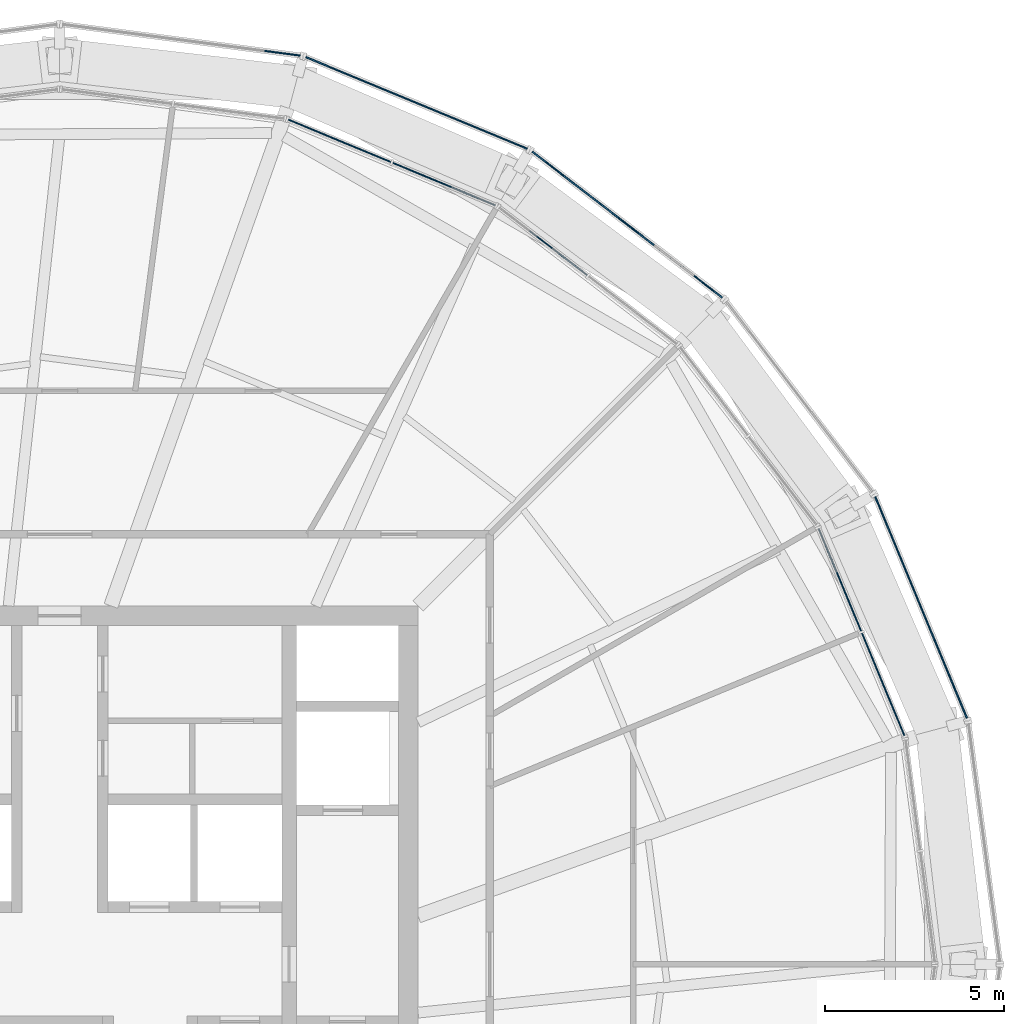
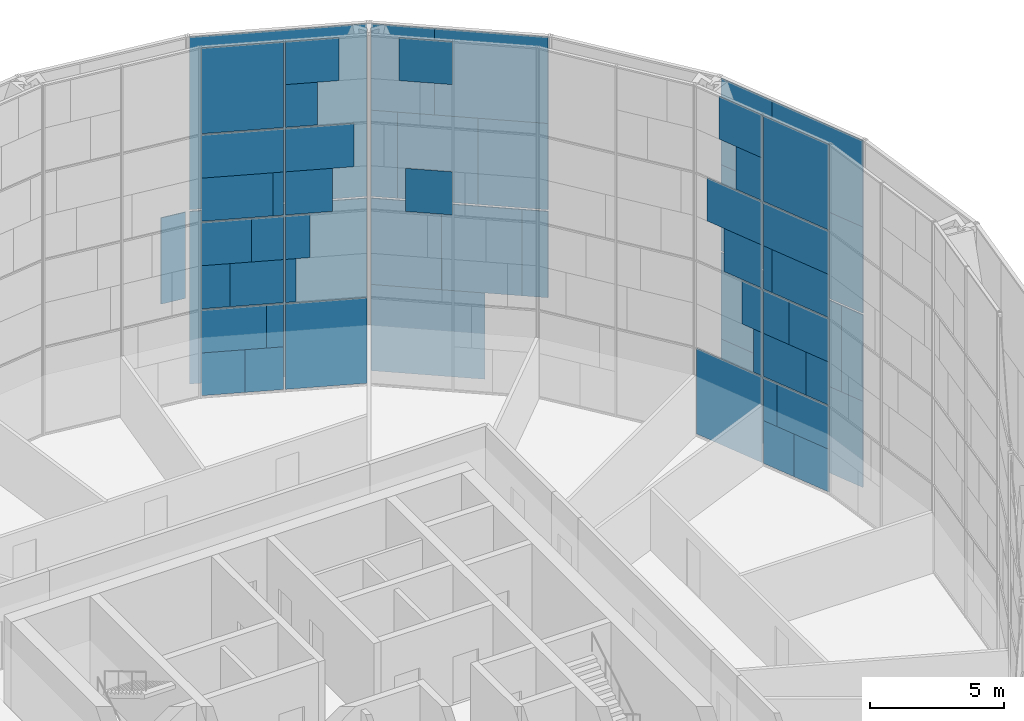
# One storey, part 24 of 28: 62 plates, 7 elements without a shape of their own.
"""IFC4 building model written with IfcOpenShell, lengths in metres."""

from ifc_helpers import new_model, si_unit, direction, frame, origin, origin_2d, place, context, subcontext, project, spatial, rectangle, extrude, material, layer, layer_set, type_object, element, aggregate, save


model = new_model("IFC4")

# Units and contexts
model_context = context("Model", 3, precision=1e-05, world=origin(), true_north=direction((0.0, 1.0)))
body_context = subcontext(model_context, "Body", "Model", "MODEL_VIEW")
ifc_project = project(units=[si_unit("LENGTHUNIT", "METRE"), si_unit("AREAUNIT", "SQUARE_METRE"), si_unit("VOLUMEUNIT", "CUBIC_METRE"), si_unit("PLANEANGLEUNIT", "RADIAN"), si_unit("MASSUNIT", "GRAM", prefix="KILO")], contexts=[model_context])

# Site, building, storey
site_placement = place(None, origin())
site = spatial("IfcSite", under=ifc_project, at=site_placement, CompositionType="ELEMENT")
building_placement = place(site_placement, origin())
building = spatial("IfcBuilding", under=site, at=building_placement, Name="Golbaran Civic Tower", CompositionType="ELEMENT")
storey_placement = place(building_placement, frame((0.0, 0.0, 134.0)))
storey = spatial("IfcBuildingStorey", under=building, at=storey_placement, Name="L32", CompositionType="ELEMENT", Elevation=134.0)

# Curtain wall, plates
ifc_material_1 = material(Name="Aluminium and glass", Category="aluminium")
curtain_wall_type_1 = type_object("IfcCurtainWallType", Name="INNER SKIN CURTAIN WALL", PredefinedType="NOTDEFINED", material=ifc_material_1)
curtain_wall_1_placement = place(storey_placement, origin())
curtain_wall_1 = element("IfcCurtainWall", 1, at=curtain_wall_1_placement, inside=storey, type_object=curtain_wall_type_1, Name="Inner skin L32 facet 2 CW1", ObjectType="INNER SKIN", PredefinedType="USERDEFINED")
ifc_material_2 = material(Name="Clear insulating glass", Category="glass")
ifc_layer_1 = layer(ifc_material_2, 0.031982421875, Name="Clear insulating glass")
ifc_layer_set_1 = layer_set([ifc_layer_1], Name="Clear insulating glass")
plate_type_1 = type_object("IfcPlateType", Name="INNER SKIN CURTAIN WALL GLAZED PANEL", PredefinedType="CURTAIN_PANEL", material=ifc_layer_set_1)
plate_1_placement = place(storey_placement, frame((22.662841796875, 8.56640625, 0.06494140625), z_axis=(0.0, 0.0, 1.0), x_axis=(-0.38268343243, 0.923879532485, 0.0)))
plate_1 = element("IfcPlate", 2, at=plate_1_placement, type_object=plate_type_1, Name="CW1 panel 1.1 part 2", PredefinedType="CURTAIN_PANEL", context=body_context, shape_type="SweptSolid", body=[
    extrude(rectangle(XDim=1.45166015625, YDim=0.031982421875, at=origin_2d()), origin(), (0.0, 0.0, 1.0), 1.951171875),
])
plate_2_placement = place(storey_placement, frame((22.5087890625, 8.9384765625, 2.016357421875), z_axis=(0.0, 0.0, 1.0), x_axis=(-0.38268343243, 0.923879532485, 0.0)))
plate_2 = element("IfcPlate", 3, at=plate_2_placement, type_object=plate_type_1, Name="CW1 panel 1.1 part 4", PredefinedType="CURTAIN_PANEL", context=body_context, shape_type="SweptSolid", body=[
    extrude(rectangle(XDim=0.646484375, YDim=0.031982421875, at=origin_2d()), origin(), (0.0, 0.0, 1.0), 1.951171875),
])
plate_3_placement = place(storey_placement, frame((23.362548828125, 6.87744140625, 4.03271484375), z_axis=(0.0, 0.0, 1.0), x_axis=(-0.38268343243, 0.923879532485, 0.0)))
plate_3 = element("IfcPlate", 4, at=plate_3_placement, type_object=plate_type_1, Name="CW1 panel 1.2 part 1", PredefinedType="CURTAIN_PANEL", context=body_context, shape_type="SweptSolid", body=[
    extrude(rectangle(XDim=1.072998046875, YDim=0.031982421875, at=origin_2d()), origin(), (0.0, 0.0, 1.0), 1.967529296875),
])
plate_4_placement = place(storey_placement, frame((23.207275390625, 7.25244140625, 6.0), z_axis=(0.0, 0.0, 1.0), x_axis=(-0.38268343243, 0.923879532485, 0.0)))
plate_4 = element("IfcPlate", 5, at=plate_4_placement, type_object=plate_type_1, Name="CW1 panel 1.2 part 3", PredefinedType="CURTAIN_PANEL", context=body_context, shape_type="SweptSolid", body=[
    extrude(rectangle(XDim=1.885009765625, YDim=0.031982421875, at=origin_2d()), origin(), (0.0, 0.0, 1.0), 1.967529296875),
])
plate_5_placement = place(storey_placement, frame((23.053466796875, 7.623779296875, 8.03271484375), z_axis=(0.0, 0.0, 1.0), x_axis=(-0.38268343243, 0.923879532485, 0.0)))
plate_5 = element("IfcPlate", 6, at=plate_5_placement, type_object=plate_type_1, Name="CW1 panel 1.3 part 1", PredefinedType="CURTAIN_PANEL", context=body_context, shape_type="SweptSolid", body=[
    extrude(rectangle(XDim=2.68896484375, YDim=0.031982421875, at=origin_2d()), origin(), (0.0, 0.0, 1.0), 1.967529296875),
])
plate_6_placement = place(storey_placement, frame((22.9765625, 7.809326171875, 10.0), z_axis=(0.0, 0.0, 1.0), x_axis=(-0.38268343243, 0.923879532485, 0.0)))
plate_6 = element("IfcPlate", 7, at=plate_6_placement, type_object=plate_type_1, Name="CW1 panel 1.3 part 3", PredefinedType="CURTAIN_PANEL", context=body_context, shape_type="SweptSolid", body=[
    extrude(rectangle(XDim=3.090576171875, YDim=0.031982421875, at=origin_2d()), origin(), (0.0, 0.0, 1.0), 1.967529296875),
])
plate_7_placement = place(storey_placement, frame((22.9765625, 7.809326171875, 12.0322265625), z_axis=(0.0, 0.0, 1.0), x_axis=(-0.38268343243, 0.923879532485, 0.0)))
plate_7 = element("IfcPlate", 8, at=plate_7_placement, type_object=plate_type_1, Name="CW1 panel 1.4", PredefinedType="CURTAIN_PANEL", context=body_context, shape_type="SweptSolid", body=[
    extrude(rectangle(XDim=3.090576171875, YDim=0.031982421875, at=origin_2d()), origin(), (0.0, 0.0, 1.0), 3.902587890625),
])
plate_8_placement = place(storey_placement, frame((21.768798828125, 10.724853515625, 0.06494140625), z_axis=(0.0, 0.0, 1.0), x_axis=(-0.38268343243, 0.923879532485, 0.0)))
plate_8 = element("IfcPlate", 9, at=plate_8_placement, type_object=plate_type_1, Name="CW1 panel 2.1", PredefinedType="CURTAIN_PANEL", context=body_context, shape_type="SweptSolid", body=[
    extrude(rectangle(XDim=3.090576171875, YDim=0.031982421875, at=origin_2d()), origin(), (0.0, 0.0, 1.0), 3.902587890625),
])
plate_9_placement = place(storey_placement, frame((22.127197265625, 9.85986328125, 12.032470703125), z_axis=(0.0, 0.0, 1.0), x_axis=(-0.38268343243, 0.923879532485, 0.0)))
plate_9 = element("IfcPlate", 10, at=plate_9_placement, type_object=plate_type_1, Name="CW1 panel 2.4 part 1", PredefinedType="CURTAIN_PANEL", context=body_context, shape_type="SweptSolid", body=[
    extrude(rectangle(XDim=1.218017578125, YDim=0.031982421875, at=origin_2d()), origin(), (0.0, 0.0, 1.0), 1.951171875),
])
plate_10_placement = place(storey_placement, frame((21.97314453125, 10.231689453125, 13.98388671875), z_axis=(0.0, 0.0, 1.0), x_axis=(-0.38268343243, 0.923879532485, 0.0)))
plate_10 = element("IfcPlate", 11, at=plate_10_placement, type_object=plate_type_1, Name="CW1 panel 2.4 part 3", PredefinedType="CURTAIN_PANEL", context=body_context, shape_type="SweptSolid", body=[
    extrude(rectangle(XDim=2.02294921875, YDim=0.031982421875, at=origin_2d()), origin(), (0.0, 0.0, 1.0), 1.951171875),
])

# Curtain wall, plate
curtain_wall_2_placement = place(storey_placement, origin())
curtain_wall_2 = element("IfcCurtainWall", 12, at=curtain_wall_2_placement, inside=storey, type_object=curtain_wall_type_1, Name="Inner skin L32 facet 4 CW1", ObjectType="INNER SKIN", PredefinedType="USERDEFINED")
plate_11_placement = place(storey_placement, frame((13.91357421875, 19.847412109375, 13.98388671875), z_axis=(0.0, 0.0, 1.0), x_axis=(-0.793353340259, 0.60876142905, 0.0)))
plate_11 = element("IfcPlate", 13, at=plate_11_placement, type_object=plate_type_1, Name="CW1 panel 2.4 part 3", PredefinedType="CURTAIN_PANEL", context=body_context, shape_type="SweptSolid", body=[
    extrude(rectangle(XDim=2.02294921875, YDim=0.031982421875, at=origin_2d()), origin(), (0.0, 0.0, 1.0), 1.951171875),
])

# Curtain wall, plates
curtain_wall_3_placement = place(storey_placement, origin())
curtain_wall_3 = element("IfcCurtainWall", 14, at=curtain_wall_3_placement, inside=storey, type_object=curtain_wall_type_1, Name="Inner skin L32 facet 5 CW1", ObjectType="INNER SKIN", PredefinedType="USERDEFINED")
plate_12_placement = place(storey_placement, frame((10.724853515625, 21.768798828125, 0.06494140625), z_axis=(0.0, 0.0, 1.0), x_axis=(-0.923879532485, 0.38268343243, 0.0)))
plate_12 = element("IfcPlate", 15, at=plate_12_placement, type_object=plate_type_1, Name="CW1 panel 1.1", PredefinedType="CURTAIN_PANEL", context=body_context, shape_type="SweptSolid", body=[
    extrude(rectangle(XDim=3.090576171875, YDim=0.031982421875, at=origin_2d()), origin(), (0.0, 0.0, 1.0), 3.902587890625),
])
plate_13_placement = place(storey_placement, frame((9.860107421875, 22.127197265625, 12.032470703125), z_axis=(0.0, 0.0, 1.0), x_axis=(-0.923879532485, 0.38268343243, 0.0)))
plate_13 = element("IfcPlate", 16, at=plate_13_placement, type_object=plate_type_1, Name="CW1 panel 1.4 part 2", PredefinedType="CURTAIN_PANEL", context=body_context, shape_type="SweptSolid", body=[
    extrude(rectangle(XDim=1.218505859375, YDim=0.031982421875, at=origin_2d()), origin(), (0.0, 0.0, 1.0), 1.951171875),
])
plate_14_placement = place(storey_placement, frame((10.23193359375, 21.97314453125, 13.98388671875), z_axis=(0.0, 0.0, 1.0), x_axis=(-0.923879532485, 0.38268343243, 0.0)))
plate_14 = element("IfcPlate", 17, at=plate_14_placement, type_object=plate_type_1, Name="CW1 panel 1.4 part 4", PredefinedType="CURTAIN_PANEL", context=body_context, shape_type="SweptSolid", body=[
    extrude(rectangle(XDim=2.023681640625, YDim=0.031982421875, at=origin_2d()), origin(), (0.0, 0.0, 1.0), 1.951171875),
])
plate_15_placement = place(storey_placement, frame((8.56689453125, 22.662841796875, 0.06494140625), z_axis=(0.0, 0.0, 1.0), x_axis=(-0.923879532485, 0.38268343243, 0.0)))
plate_15 = element("IfcPlate", 18, at=plate_15_placement, type_object=plate_type_1, Name="CW1 panel 2.1 part 1", PredefinedType="CURTAIN_PANEL", context=body_context, shape_type="SweptSolid", body=[
    extrude(rectangle(XDim=1.450927734375, YDim=0.031982421875, at=origin_2d()), origin(), (0.0, 0.0, 1.0), 1.951171875),
])
plate_16_placement = place(storey_placement, frame((8.938720703125, 22.5087890625, 2.016357421875), z_axis=(0.0, 0.0, 1.0), x_axis=(-0.923879532485, 0.38268343243, 0.0)))
plate_16 = element("IfcPlate", 19, at=plate_16_placement, type_object=plate_type_1, Name="CW1 panel 2.1 part 3", PredefinedType="CURTAIN_PANEL", context=body_context, shape_type="SweptSolid", body=[
    extrude(rectangle(XDim=0.64599609375, YDim=0.031982421875, at=origin_2d()), origin(), (0.0, 0.0, 1.0), 1.951171875),
])
plate_17_placement = place(storey_placement, frame((6.877685546875, 23.362548828125, 4.03271484375), z_axis=(0.0, 0.0, 1.0), x_axis=(-0.923879532485, 0.38268343243, 0.0)))
plate_17 = element("IfcPlate", 20, at=plate_17_placement, type_object=plate_type_1, Name="CW1 panel 2.2 part 2", PredefinedType="CURTAIN_PANEL", context=body_context, shape_type="SweptSolid", body=[
    extrude(rectangle(XDim=1.073486328125, YDim=0.031982421875, at=origin_2d()), origin(), (0.0, 0.0, 1.0), 1.967529296875),
])
plate_18_placement = place(storey_placement, frame((7.252197265625, 23.207275390625, 6.0), z_axis=(0.0, 0.0, 1.0), x_axis=(-0.923879532485, 0.38268343243, 0.0)))
plate_18 = element("IfcPlate", 21, at=plate_18_placement, type_object=plate_type_1, Name="CW1 panel 2.2 part 4", PredefinedType="CURTAIN_PANEL", context=body_context, shape_type="SweptSolid", body=[
    extrude(rectangle(XDim=1.884521484375, YDim=0.031982421875, at=origin_2d()), origin(), (0.0, 0.0, 1.0), 1.967529296875),
])
plate_19_placement = place(storey_placement, frame((7.6240234375, 23.05322265625, 8.03271484375), z_axis=(0.0, 0.0, 1.0), x_axis=(-0.923879532485, 0.38268343243, 0.0)))
plate_19 = element("IfcPlate", 22, at=plate_19_placement, type_object=plate_type_1, Name="CW1 panel 2.3 part 2", PredefinedType="CURTAIN_PANEL", context=body_context, shape_type="SweptSolid", body=[
    extrude(rectangle(XDim=2.689697265625, YDim=0.031982421875, at=origin_2d()), origin(), (0.0, 0.0, 1.0), 1.967529296875),
])
plate_20_placement = place(storey_placement, frame((7.809326171875, 22.9765625, 10.0), z_axis=(0.0, 0.0, 1.0), x_axis=(-0.923879532485, 0.38268343243, 0.0)))
plate_20 = element("IfcPlate", 23, at=plate_20_placement, type_object=plate_type_1, Name="CW1 panel 2.3 part 3", PredefinedType="CURTAIN_PANEL", context=body_context, shape_type="SweptSolid", body=[
    extrude(rectangle(XDim=3.090576171875, YDim=0.031982421875, at=origin_2d()), origin(), (0.0, 0.0, 1.0), 1.967529296875),
])
plate_21_placement = place(storey_placement, frame((7.809326171875, 22.9765625, 12.0322265625), z_axis=(0.0, 0.0, 1.0), x_axis=(-0.923879532485, 0.38268343243, 0.0)))
plate_21 = element("IfcPlate", 24, at=plate_21_placement, type_object=plate_type_1, Name="CW1 panel 2.4", PredefinedType="CURTAIN_PANEL", context=body_context, shape_type="SweptSolid", body=[
    extrude(rectangle(XDim=3.090576171875, YDim=0.031982421875, at=origin_2d()), origin(), (0.0, 0.0, 1.0), 3.902587890625),
])

# Plate
ifc_material_3 = material(Name="Aluminium faced opaque infill panel", Category="aluminium")
ifc_layer_2 = layer(ifc_material_3, 0.031982421875, Name="Aluminium faced opaque infill panel")
ifc_layer_set_2 = layer_set([ifc_layer_2], Name="Aluminium faced opaque infill panel")
plate_type_2 = type_object("IfcPlateType", Name="INNER SKIN CURTAIN WALL OPAQUE INFILL PANEL", PredefinedType="CURTAIN_PANEL", material=ifc_layer_set_2)
plate_22_placement = place(storey_placement, frame((23.254150390625, 7.138916015625, 0.06494140625), z_axis=(0.0, 0.0, 1.0), x_axis=(-0.38268343243, 0.923879532485, 0.0)))
plate_22 = element("IfcPlate", 25, at=plate_22_placement, type_object=plate_type_2, Name="CW1 infill panel 1.1 part 1", PredefinedType="CURTAIN_PANEL", context=body_context, shape_type="SweptSolid", body=[
    extrude(rectangle(XDim=1.638916015625, YDim=0.031982421875, at=origin_2d()), origin(), (0.0, 0.0, 1.0), 1.951171875),
])

plate_23_placement = place(storey_placement, frame((23.100341796875, 7.5107421875, 2.016357421875), z_axis=(0.0, 0.0, 1.0), x_axis=(-0.38268343243, 0.923879532485, 0.0)))
plate_23 = element("IfcPlate", 26, at=plate_23_placement, type_object=plate_type_2, Name="CW1 infill panel 1.1 part 3", PredefinedType="CURTAIN_PANEL", context=body_context, shape_type="SweptSolid", body=[
    extrude(rectangle(XDim=2.444091796875, YDim=0.031982421875, at=origin_2d()), origin(), (0.0, 0.0, 1.0), 1.951171875),
])

plate_24_placement = place(storey_placement, frame((22.771240234375, 8.304931640625, 4.03271484375), z_axis=(0.0, 0.0, 1.0), x_axis=(-0.38268343243, 0.923879532485, 0.0)))
plate_24 = element("IfcPlate", 27, at=plate_24_placement, type_object=plate_type_2, Name="CW1 infill panel 1.2 part 2", PredefinedType="CURTAIN_PANEL", context=body_context, shape_type="SweptSolid", body=[
    extrude(rectangle(XDim=2.017578125, YDim=0.031982421875, at=origin_2d()), origin(), (0.0, 0.0, 1.0), 1.967529296875),
])

plate_25_placement = place(storey_placement, frame((22.61572265625, 8.68017578125, 6.0), z_axis=(0.0, 0.0, 1.0), x_axis=(-0.38268343243, 0.923879532485, 0.0)))
plate_25 = element("IfcPlate", 28, at=plate_25_placement, type_object=plate_type_2, Name="CW1 infill panel 1.2 part 4", PredefinedType="CURTAIN_PANEL", context=body_context, shape_type="SweptSolid", body=[
    extrude(rectangle(XDim=1.20556640625, YDim=0.031982421875, at=origin_2d()), origin(), (0.0, 0.0, 1.0), 1.967529296875),
])

plate_26_placement = place(storey_placement, frame((22.4619140625, 9.051513671875, 8.03271484375), z_axis=(0.0, 0.0, 1.0), x_axis=(-0.38268343243, 0.923879532485, 0.0)))
plate_26 = element("IfcPlate", 29, at=plate_26_placement, type_object=plate_type_2, Name="CW1 infill panel 1.3 part 2", PredefinedType="CURTAIN_PANEL", context=body_context, shape_type="SweptSolid", body=[
    extrude(rectangle(XDim=0.401611328125, YDim=0.031982421875, at=origin_2d()), origin(), (0.0, 0.0, 1.0), 1.967529296875),
])

plate_27_placement = place(storey_placement, frame((22.283447265625, 9.482421875, 4.03271484375), z_axis=(0.0, 0.0, 1.0), x_axis=(-0.38268343243, 0.923879532485, 0.0)))
plate_27 = element("IfcPlate", 30, at=plate_27_placement, type_object=plate_type_2, Name="CW1 infill panel 2.2 part 1", PredefinedType="CURTAIN_PANEL", context=body_context, shape_type="SweptSolid", body=[
    extrude(rectangle(XDim=0.40087890625, YDim=0.031982421875, at=origin_2d()), origin(), (0.0, 0.0, 1.0), 1.967529296875),
])

plate_28_placement = place(storey_placement, frame((22.1806640625, 9.73095703125, 6.0), z_axis=(0.0, 0.0, 1.0), x_axis=(-0.38268343243, 0.923879532485, 0.0)))
plate_28 = element("IfcPlate", 31, at=plate_28_placement, type_object=plate_type_2, Name="CW1 infill panel 2.2 part 3", PredefinedType="CURTAIN_PANEL", context=body_context, shape_type="SweptSolid", body=[
    extrude(rectangle(XDim=0.93896484375, YDim=0.031982421875, at=origin_2d()), origin(), (0.0, 0.0, 1.0), 1.967529296875),
])

plate_29_placement = place(storey_placement, frame((22.02001953125, 10.118408203125, 8.03271484375), z_axis=(0.0, 0.0, 1.0), x_axis=(-0.38268343243, 0.923879532485, 0.0)))
plate_29 = element("IfcPlate", 32, at=plate_29_placement, type_object=plate_type_2, Name="CW1 infill panel 2.3 part 1", PredefinedType="CURTAIN_PANEL", context=body_context, shape_type="SweptSolid", body=[
    extrude(rectangle(XDim=1.778076171875, YDim=0.031982421875, at=origin_2d()), origin(), (0.0, 0.0, 1.0), 1.967529296875),
])

plate_30_placement = place(storey_placement, frame((21.864990234375, 10.4931640625, 10.0), z_axis=(0.0, 0.0, 1.0), x_axis=(-0.38268343243, 0.923879532485, 0.0)))
plate_30 = element("IfcPlate", 33, at=plate_30_placement, type_object=plate_type_2, Name="CW1 infill panel 2.3 part 3", PredefinedType="CURTAIN_PANEL", context=body_context, shape_type="SweptSolid", body=[
    extrude(rectangle(XDim=2.589111328125, YDim=0.031982421875, at=origin_2d()), origin(), (0.0, 0.0, 1.0), 1.967529296875),
])

aggregate(curtain_wall_1, [plate_22, plate_1, plate_23, plate_2, plate_3, plate_24, plate_4, plate_25, plate_5, plate_26, plate_6, plate_7, plate_8, plate_27, plate_28, plate_29, plate_30, plate_9, plate_10])

plate_31_placement = place(storey_placement, frame((14.0107421875, 19.77294921875, 8.03271484375), z_axis=(0.0, 0.0, 1.0), x_axis=(-0.793353340259, 0.60876142905, 0.0)))
plate_31 = element("IfcPlate", 34, at=plate_31_placement, type_object=plate_type_2, Name="CW1 infill panel 2.3 part 1", PredefinedType="CURTAIN_PANEL", context=body_context, shape_type="SweptSolid", body=[
    extrude(rectangle(XDim=1.778076171875, YDim=0.031982421875, at=origin_2d()), origin(), (0.0, 0.0, 1.0), 1.967529296875),
])

aggregate(curtain_wall_2, [plate_31, plate_11])

plate_32_placement = place(storey_placement, frame((9.482666015625, 22.283447265625, 4.03271484375), z_axis=(0.0, 0.0, 1.0), x_axis=(-0.923879532485, 0.38268343243, 0.0)))
plate_32 = element("IfcPlate", 35, at=plate_32_placement, type_object=plate_type_2, Name="CW1 infill panel 1.2 part 2", PredefinedType="CURTAIN_PANEL", context=body_context, shape_type="SweptSolid", body=[
    extrude(rectangle(XDim=0.401611328125, YDim=0.031982421875, at=origin_2d()), origin(), (0.0, 0.0, 1.0), 1.967529296875),
])

plate_33_placement = place(storey_placement, frame((9.731201171875, 22.180419921875, 6.0), z_axis=(0.0, 0.0, 1.0), x_axis=(-0.923879532485, 0.38268343243, 0.0)))
plate_33 = element("IfcPlate", 36, at=plate_33_placement, type_object=plate_type_2, Name="CW1 infill panel 1.2 part 4", PredefinedType="CURTAIN_PANEL", context=body_context, shape_type="SweptSolid", body=[
    extrude(rectangle(XDim=0.939697265625, YDim=0.031982421875, at=origin_2d()), origin(), (0.0, 0.0, 1.0), 1.967529296875),
])

plate_34_placement = place(storey_placement, frame((10.1181640625, 22.02001953125, 8.03271484375), z_axis=(0.0, 0.0, 1.0), x_axis=(-0.923879532485, 0.38268343243, 0.0)))
plate_34 = element("IfcPlate", 37, at=plate_34_placement, type_object=plate_type_2, Name="CW1 infill panel 1.3 part 2", PredefinedType="CURTAIN_PANEL", context=body_context, shape_type="SweptSolid", body=[
    extrude(rectangle(XDim=1.777587890625, YDim=0.031982421875, at=origin_2d()), origin(), (0.0, 0.0, 1.0), 1.967529296875),
])

plate_35_placement = place(storey_placement, frame((10.493408203125, 21.86474609375, 10.0), z_axis=(0.0, 0.0, 1.0), x_axis=(-0.923879532485, 0.38268343243, 0.0)))
plate_35 = element("IfcPlate", 38, at=plate_35_placement, type_object=plate_type_2, Name="CW1 infill panel 1.3 part 4", PredefinedType="CURTAIN_PANEL", context=body_context, shape_type="SweptSolid", body=[
    extrude(rectangle(XDim=2.589599609375, YDim=0.031982421875, at=origin_2d()), origin(), (0.0, 0.0, 1.0), 1.967529296875),
])

plate_36_placement = place(storey_placement, frame((7.13916015625, 23.254150390625, 0.06494140625), z_axis=(0.0, 0.0, 1.0), x_axis=(-0.923879532485, 0.38268343243, 0.0)))
plate_36 = element("IfcPlate", 39, at=plate_36_placement, type_object=plate_type_2, Name="CW1 infill panel 2.1 part 2", PredefinedType="CURTAIN_PANEL", context=body_context, shape_type="SweptSolid", body=[
    extrude(rectangle(XDim=1.6396484375, YDim=0.031982421875, at=origin_2d()), origin(), (0.0, 0.0, 1.0), 1.951171875),
])

plate_37_placement = place(storey_placement, frame((7.510986328125, 23.10009765625, 2.016357421875), z_axis=(0.0, 0.0, 1.0), x_axis=(-0.923879532485, 0.38268343243, 0.0)))
plate_37 = element("IfcPlate", 40, at=plate_37_placement, type_object=plate_type_2, Name="CW1 infill panel 2.1 part 4", PredefinedType="CURTAIN_PANEL", context=body_context, shape_type="SweptSolid", body=[
    extrude(rectangle(XDim=2.444580078125, YDim=0.031982421875, at=origin_2d()), origin(), (0.0, 0.0, 1.0), 1.951171875),
])

plate_38_placement = place(storey_placement, frame((8.305419921875, 22.77099609375, 4.03271484375), z_axis=(0.0, 0.0, 1.0), x_axis=(-0.923879532485, 0.38268343243, 0.0)))
plate_38 = element("IfcPlate", 41, at=plate_38_placement, type_object=plate_type_2, Name="CW1 infill panel 2.2 part 1", PredefinedType="CURTAIN_PANEL", context=body_context, shape_type="SweptSolid", body=[
    extrude(rectangle(XDim=2.01708984375, YDim=0.031982421875, at=origin_2d()), origin(), (0.0, 0.0, 1.0), 1.967529296875),
])

plate_39_placement = place(storey_placement, frame((8.679931640625, 22.615966796875, 6.0), z_axis=(0.0, 0.0, 1.0), x_axis=(-0.923879532485, 0.38268343243, 0.0)))
plate_39 = element("IfcPlate", 42, at=plate_39_placement, type_object=plate_type_2, Name="CW1 infill panel 2.2 part 3", PredefinedType="CURTAIN_PANEL", context=body_context, shape_type="SweptSolid", body=[
    extrude(rectangle(XDim=1.2060546875, YDim=0.031982421875, at=origin_2d()), origin(), (0.0, 0.0, 1.0), 1.967529296875),
])

plate_40_placement = place(storey_placement, frame((9.0517578125, 22.4619140625, 8.03271484375), z_axis=(0.0, 0.0, 1.0), x_axis=(-0.923879532485, 0.38268343243, 0.0)))
plate_40 = element("IfcPlate", 43, at=plate_40_placement, type_object=plate_type_2, Name="CW1 infill panel 2.3 part 1", PredefinedType="CURTAIN_PANEL", context=body_context, shape_type="SweptSolid", body=[
    extrude(rectangle(XDim=0.40087890625, YDim=0.031982421875, at=origin_2d()), origin(), (0.0, 0.0, 1.0), 1.967529296875),
])

aggregate(curtain_wall_3, [plate_12, plate_32, plate_33, plate_34, plate_35, plate_13, plate_14, plate_15, plate_36, plate_16, plate_37, plate_38, plate_17, plate_39, plate_18, plate_40, plate_19, plate_20, plate_21])

# Curtain wall, plates
curtain_wall_type_2 = type_object("IfcCurtainWallType", Name="OUTER SKIN TERRACOTTA SCREEN", PredefinedType="NOTDEFINED", material=ifc_material_1)
curtain_wall_4_placement = place(storey_placement, origin())
curtain_wall_4 = element("IfcCurtainWall", 44, at=curtain_wall_4_placement, inside=storey, type_object=curtain_wall_type_2, Name="Outer skin L32 facet 2 CW3", ObjectType="OUTER SKIN", PredefinedType="USERDEFINED")
ifc_material_4 = material(Name="Clear laminated glass", Category="glass")
ifc_layer_3 = layer(ifc_material_4, 0.0400390625, Name="Clear laminated glass")
ifc_layer_set_3 = layer_set([ifc_layer_3], Name="Clear laminated glass")
plate_type_3 = type_object("IfcPlateType", Name="OUTER SKIN CLEAR GLASS PANEL", PredefinedType="CURTAIN_PANEL", material=ifc_layer_set_3)
plate_41_placement = place(storey_placement, frame((23.576904296875, 11.06201171875, -0.6298828125), z_axis=(0.0, 0.0, 1.0), x_axis=(-0.382683432397, 0.923879532498, 0.0)))
plate_41 = element("IfcPlate", 45, at=plate_41_placement, type_object=plate_type_3, Name="CW3 panel 1.1 part 2", PredefinedType="CURTAIN_PANEL", context=body_context, shape_type="SweptSolid", body=[
    extrude(rectangle(XDim=4.294921875, YDim=0.0400390625, at=origin_2d()), origin(), (0.0, 0.0, 1.0), 3.93994140625),
])
plate_42_placement = place(storey_placement, frame((25.12451171875, 7.325927734375, 3.31005859375), z_axis=(0.0, 0.0, 1.0), x_axis=(-0.382683432397, 0.923879532498, 0.0)))
plate_42 = element("IfcPlate", 46, at=plate_42_placement, type_object=plate_type_3, Name="CW3 panel 1.1 part 3", PredefinedType="CURTAIN_PANEL", context=body_context, shape_type="SweptSolid", body=[
    extrude(rectangle(XDim=0.9970703125, YDim=0.0400390625, at=origin_2d()), origin(), (0.0, 0.0, 1.0), 3.93994140625),
])
plate_43_placement = place(storey_placement, frame((23.265869140625, 11.813232421875, 3.31005859375), z_axis=(0.0, 0.0, 1.0), x_axis=(-0.382683432397, 0.923879532498, 0.0)))
plate_43 = element("IfcPlate", 47, at=plate_43_placement, type_object=plate_type_3, Name="CW3 panel 1.1 part 5", PredefinedType="CURTAIN_PANEL", context=body_context, shape_type="SweptSolid", body=[
    extrude(rectangle(XDim=2.6689453125, YDim=0.0400390625, at=origin_2d()), origin(), (0.0, 0.0, 1.0), 3.93994140625),
])
plate_44_placement = place(storey_placement, frame((24.80712890625, 8.09228515625, 7.330078125), z_axis=(0.0, 0.0, 1.0), x_axis=(-0.382683432397, 0.923879532498, 0.0)))
plate_44 = element("IfcPlate", 48, at=plate_44_placement, type_object=plate_type_3, Name="CW3 panel 1.2 part 1", PredefinedType="CURTAIN_PANEL", context=body_context, shape_type="SweptSolid", body=[
    extrude(rectangle(XDim=2.656005859375, YDim=0.0400390625, at=origin_2d()), origin(), (0.0, 0.0, 1.0), 3.93994140625),
])
plate_45_placement = place(storey_placement, frame((22.948486328125, 12.5791015625, 7.330078125), z_axis=(0.0, 0.0, 1.0), x_axis=(-0.382683432397, 0.923879532498, 0.0)))
plate_45 = element("IfcPlate", 49, at=plate_45_placement, type_object=plate_type_3, Name="CW3 panel 1.2 part 3", PredefinedType="CURTAIN_PANEL", context=body_context, shape_type="SweptSolid", body=[
    extrude(rectangle(XDim=1.010986328125, YDim=0.0400390625, at=origin_2d()), origin(), (0.0, 0.0, 1.0), 3.93994140625),
])
plate_46_placement = place(storey_placement, frame((24.495849609375, 8.84326171875, 11.27001953125), z_axis=(0.0, 0.0, 1.0), x_axis=(-0.382683432397, 0.923879532498, 0.0)))
plate_46 = element("IfcPlate", 50, at=plate_46_placement, type_object=plate_type_3, Name="CW3 panel 1.2 part 4", PredefinedType="CURTAIN_PANEL", context=body_context, shape_type="SweptSolid", body=[
    extrude(rectangle(XDim=4.281982421875, YDim=0.0400390625, at=origin_2d()), origin(), (0.0, 0.0, 1.0), 3.93994140625),
])

curtain_wall_5_placement = place(storey_placement, origin())
curtain_wall_5 = element("IfcCurtainWall", 51, at=curtain_wall_5_placement, inside=storey, type_object=curtain_wall_type_2, Name="Outer skin L32 facet 4 CW3", ObjectType="OUTER SKIN", PredefinedType="USERDEFINED")
plate_47_placement = place(storey_placement, frame((14.88720703125, 21.368408203125, -0.6298828125), z_axis=(0.0, 0.0, 1.0), x_axis=(-0.79335334027, 0.608761429036, 0.0)))
plate_47 = element("IfcPlate", 52, at=plate_47_placement, type_object=plate_type_3, Name="CW3 panel 1.1 part 2", PredefinedType="CURTAIN_PANEL", context=body_context, shape_type="SweptSolid", body=[
    extrude(rectangle(XDim=4.294921875, YDim=0.0400390625, at=origin_2d()), origin(), (0.0, 0.0, 1.0), 3.93994140625),
])
plate_48_placement = place(storey_placement, frame((18.095458984375, 18.90673828125, 3.31005859375), z_axis=(0.0, 0.0, 1.0), x_axis=(-0.79335334027, 0.608761429036, 0.0)))
plate_48 = element("IfcPlate", 53, at=plate_48_placement, type_object=plate_type_3, Name="CW3 panel 1.1 part 3", PredefinedType="CURTAIN_PANEL", context=body_context, shape_type="SweptSolid", body=[
    extrude(rectangle(XDim=0.9970703125, YDim=0.0400390625, at=origin_2d()), origin(), (0.0, 0.0, 1.0), 3.93994140625),
])
plate_49_placement = place(storey_placement, frame((14.2421875, 21.863525390625, 3.31005859375), z_axis=(0.0, 0.0, 1.0), x_axis=(-0.79335334027, 0.608761429036, 0.0)))
plate_49 = element("IfcPlate", 54, at=plate_49_placement, type_object=plate_type_3, Name="CW3 panel 1.1 part 5", PredefinedType="CURTAIN_PANEL", context=body_context, shape_type="SweptSolid", body=[
    extrude(rectangle(XDim=2.6689453125, YDim=0.0400390625, at=origin_2d()), origin(), (0.0, 0.0, 1.0), 3.93994140625),
])
plate_50_placement = place(storey_placement, frame((17.4375, 19.41162109375, 7.330078125), z_axis=(0.0, 0.0, 1.0), x_axis=(-0.79335334027, 0.608761429036, 0.0)))
plate_50 = element("IfcPlate", 55, at=plate_50_placement, type_object=plate_type_3, Name="CW3 panel 1.2 part 1", PredefinedType="CURTAIN_PANEL", context=body_context, shape_type="SweptSolid", body=[
    extrude(rectangle(XDim=2.656005859375, YDim=0.0400390625, at=origin_2d()), origin(), (0.0, 0.0, 1.0), 3.93994140625),
])
plate_51_placement = place(storey_placement, frame((13.58447265625, 22.3681640625, 7.330078125), z_axis=(0.0, 0.0, 1.0), x_axis=(-0.79335334027, 0.608761429036, 0.0)))
plate_51 = element("IfcPlate", 56, at=plate_51_placement, type_object=plate_type_3, Name="CW3 panel 1.2 part 3", PredefinedType="CURTAIN_PANEL", context=body_context, shape_type="SweptSolid", body=[
    extrude(rectangle(XDim=1.010986328125, YDim=0.0400390625, at=origin_2d()), origin(), (0.0, 0.0, 1.0), 3.93994140625),
])
plate_52_placement = place(storey_placement, frame((16.79248046875, 19.906494140625, 11.27001953125), z_axis=(0.0, 0.0, 1.0), x_axis=(-0.79335334027, 0.608761429036, 0.0)))
plate_52 = element("IfcPlate", 57, at=plate_52_placement, type_object=plate_type_3, Name="CW3 panel 1.2 part 4", PredefinedType="CURTAIN_PANEL", context=body_context, shape_type="SweptSolid", body=[
    extrude(rectangle(XDim=4.281982421875, YDim=0.0400390625, at=origin_2d()), origin(), (0.0, 0.0, 1.0), 3.93994140625),
])

# Curtain wall, plate
curtain_wall_6_placement = place(storey_placement, origin())
curtain_wall_6 = element("IfcCurtainWall", 58, at=curtain_wall_6_placement, inside=storey, type_object=curtain_wall_type_2, Name="Outer skin L32 facet 6 CW3", ObjectType="OUTER SKIN", PredefinedType="USERDEFINED")
plate_53_placement = place(storey_placement, frame((6.2177734375, 25.42138671875, 3.31005859375), z_axis=(0.0, 0.0, 1.0), x_axis=(-0.991444861376, 0.130526192203, 0.0)))
plate_53 = element("IfcPlate", 59, at=plate_53_placement, type_object=plate_type_3, Name="CW3 panel 1.1 part 3", PredefinedType="CURTAIN_PANEL", context=body_context, shape_type="SweptSolid", body=[
    extrude(rectangle(XDim=0.9970703125, YDim=0.0400390625, at=origin_2d()), origin(), (0.0, 0.0, 1.0), 3.93994140625),
])
aggregate(curtain_wall_6, [plate_53])

# Plate
ifc_material_5 = material(Name="Terracotta baguette screen", Category="masonry")
ifc_layer_4 = layer(ifc_material_5, 0.0400390625, Name="Terracotta baguette screen")
ifc_layer_set_4 = layer_set([ifc_layer_4], Name="Terracotta baguette screen")
plate_type_4 = type_object("IfcPlateType", Name="OUTER SKIN TERRACOTTA INFILL PANEL", PredefinedType="CURTAIN_PANEL", material=ifc_layer_set_4)
plate_54_placement = place(storey_placement, frame((24.85693359375, 7.9716796875, -0.6298828125), z_axis=(0.0, 0.0, 1.0), x_axis=(-0.382683432397, 0.923879532498, 0.0)))
plate_54 = element("IfcPlate", 60, at=plate_54_placement, type_object=plate_type_4, Name="CW3 infill panel 1.1 part 1", PredefinedType="CURTAIN_PANEL", context=body_context, shape_type="SweptSolid", body=[
    extrude(rectangle(XDim=2.39501953125, YDim=0.0400390625, at=origin_2d()), origin(), (0.0, 0.0, 1.0), 3.93994140625),
])

plate_55_placement = place(storey_placement, frame((24.355224609375, 9.183349609375, 3.31005859375), z_axis=(0.0, 0.0, 1.0), x_axis=(-0.382683432397, 0.923879532498, 0.0)))
plate_55 = element("IfcPlate", 61, at=plate_55_placement, type_object=plate_type_4, Name="CW3 infill panel 1.1 part 4", PredefinedType="CURTAIN_PANEL", context=body_context, shape_type="SweptSolid", body=[
    extrude(rectangle(XDim=3.02392578125, YDim=0.0400390625, at=origin_2d()), origin(), (0.0, 0.0, 1.0), 3.93994140625),
])

plate_56_placement = place(storey_placement, frame((23.720458984375, 10.715576171875, 7.330078125), z_axis=(0.0, 0.0, 1.0), x_axis=(-0.382683432397, 0.923879532498, 0.0)))
plate_56 = element("IfcPlate", 62, at=plate_56_placement, type_object=plate_type_4, Name="CW3 infill panel 1.2 part 2", PredefinedType="CURTAIN_PANEL", context=body_context, shape_type="SweptSolid", body=[
    extrude(rectangle(XDim=3.02294921875, YDim=0.0400390625, at=origin_2d()), origin(), (0.0, 0.0, 1.0), 3.93994140625),
])

plate_57_placement = place(storey_placement, frame((23.2158203125, 11.933837890625, 11.27001953125), z_axis=(0.0, 0.0, 1.0), x_axis=(-0.382683432397, 0.923879532498, 0.0)))
plate_57 = element("IfcPlate", 63, at=plate_57_placement, type_object=plate_type_4, Name="CW3 infill panel 1.2 part 5", PredefinedType="CURTAIN_PANEL", context=body_context, shape_type="SweptSolid", body=[
    extrude(rectangle(XDim=2.407958984375, YDim=0.0400390625, at=origin_2d()), origin(), (0.0, 0.0, 1.0), 3.93994140625),
])

aggregate(curtain_wall_4, [plate_54, plate_41, plate_42, plate_55, plate_43, plate_44, plate_56, plate_45, plate_46, plate_57])

plate_58_placement = place(storey_placement, frame((16.50048828125, 20.130615234375, 3.31005859375), z_axis=(0.0, 0.0, 1.0), x_axis=(-0.79335334027, 0.608761429036, 0.0)))
plate_58 = element("IfcPlate", 64, at=plate_58_placement, type_object=plate_type_4, Name="CW3 infill panel 1.1 part 4", PredefinedType="CURTAIN_PANEL", context=body_context, shape_type="SweptSolid", body=[
    extrude(rectangle(XDim=3.02392578125, YDim=0.0400390625, at=origin_2d()), origin(), (0.0, 0.0, 1.0), 3.93994140625),
])

plate_59_placement = place(storey_placement, frame((15.184814453125, 21.14013671875, 7.330078125), z_axis=(0.0, 0.0, 1.0), x_axis=(-0.79335334027, 0.608761429036, 0.0)))
plate_59 = element("IfcPlate", 65, at=plate_59_placement, type_object=plate_type_4, Name="CW3 infill panel 1.2 part 2", PredefinedType="CURTAIN_PANEL", context=body_context, shape_type="SweptSolid", body=[
    extrude(rectangle(XDim=3.02294921875, YDim=0.0400390625, at=origin_2d()), origin(), (0.0, 0.0, 1.0), 3.93994140625),
])

plate_60_placement = place(storey_placement, frame((14.138671875, 21.94287109375, 11.27001953125), z_axis=(0.0, 0.0, 1.0), x_axis=(-0.79335334027, 0.608761429036, 0.0)))
plate_60 = element("IfcPlate", 66, at=plate_60_placement, type_object=plate_type_4, Name="CW3 infill panel 1.2 part 5", PredefinedType="CURTAIN_PANEL", context=body_context, shape_type="SweptSolid", body=[
    extrude(rectangle(XDim=2.407958984375, YDim=0.0400390625, at=origin_2d()), origin(), (0.0, 0.0, 1.0), 3.93994140625),
])

aggregate(curtain_wall_5, [plate_47, plate_48, plate_58, plate_49, plate_50, plate_59, plate_51, plate_52, plate_60])

# Curtain wall, plates
curtain_wall_7_placement = place(storey_placement, origin())
curtain_wall_7 = element("IfcCurtainWall", 67, at=curtain_wall_7_placement, inside=storey, type_object=curtain_wall_type_2, Name="Outer skin L32 facet 5 CW3", ObjectType="OUTER SKIN", PredefinedType="USERDEFINED")
ifc_layer_5 = layer(ifc_material_5, 0.0400390625, Name="Terracotta baguette screen")
ifc_layer_set_5 = layer_set([ifc_layer_5], Name="Terracotta baguette screen")
plate_type_5 = type_object("IfcPlateType", Name="OUTER SKIN TERRACOTTA SCREEN PANEL", PredefinedType="CURTAIN_PANEL", material=ifc_layer_set_5)
plate_61_placement = place(storey_placement, frame((9.955810546875, 24.03515625, -0.6298828125), z_axis=(0.0, 0.0, 1.0), x_axis=(-0.923879532498, 0.382683432397, 0.0)))
plate_61 = element("IfcPlate", 68, at=plate_61_placement, type_object=plate_type_5, Name="CW3 terracotta screen panel 1.1", PredefinedType="CURTAIN_PANEL", context=body_context, shape_type="SweptSolid", body=[
    extrude(rectangle(XDim=6.68994140625, YDim=0.0400390625, at=origin_2d()), origin(), (0.0, 0.0, 1.0), 7.8798828125),
])
plate_62_placement = place(storey_placement, frame((9.955810546875, 24.03515625, 7.330078125), z_axis=(0.0, 0.0, 1.0), x_axis=(-0.923879532498, 0.382683432397, 0.0)))
plate_62 = element("IfcPlate", 69, at=plate_62_placement, type_object=plate_type_5, Name="CW3 terracotta screen panel 1.2", PredefinedType="CURTAIN_PANEL", context=body_context, shape_type="SweptSolid", body=[
    extrude(rectangle(XDim=6.68994140625, YDim=0.0400390625, at=origin_2d()), origin(), (0.0, 0.0, 1.0), 7.8798828125),
])
aggregate(curtain_wall_7, [plate_61, plate_62])

save(model, "model.ifc")
